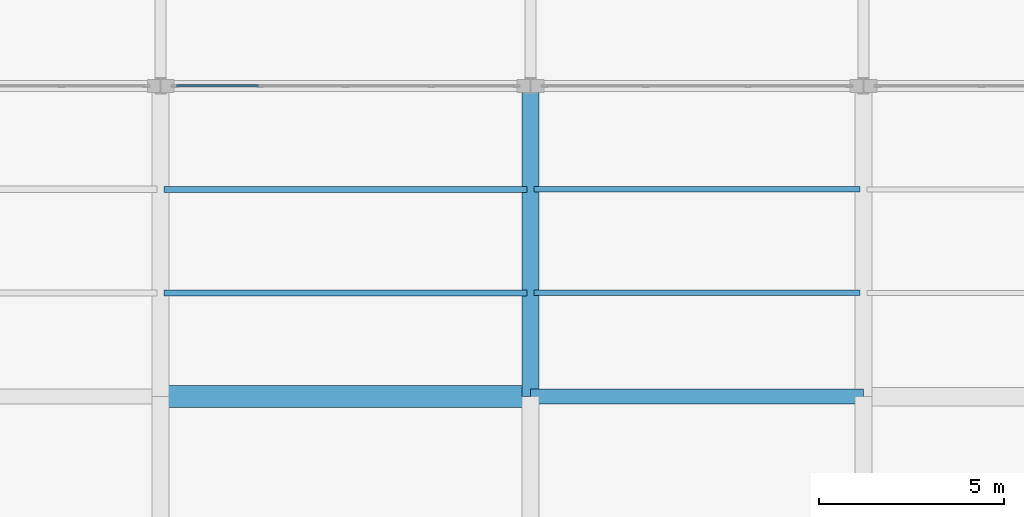
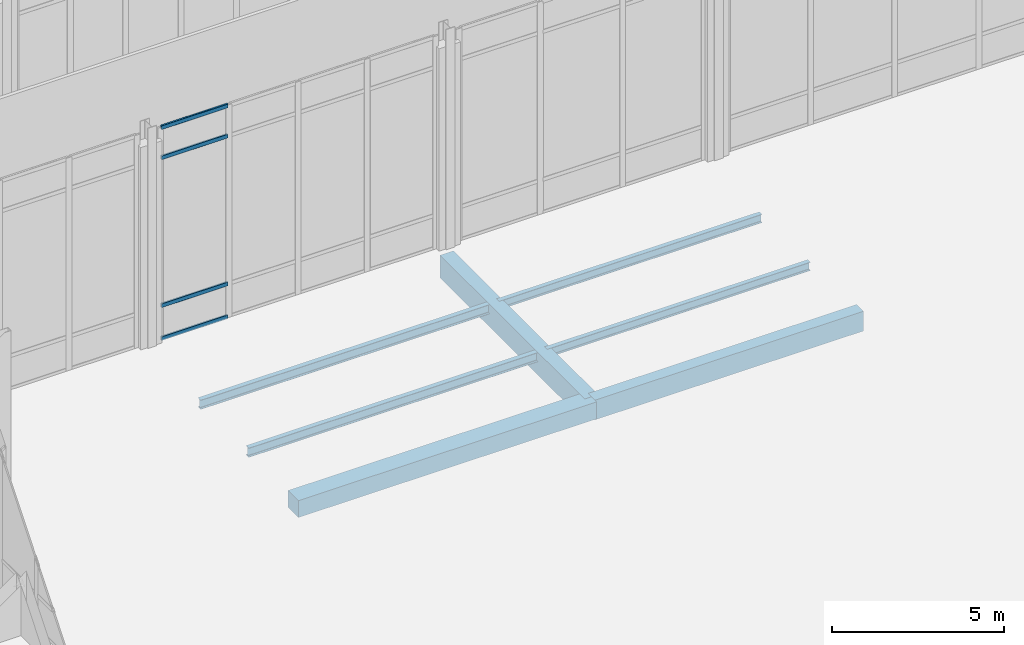
# One storey, part 98 of 176: 7 beams, 4 members, 1 element without a shape of its own.
"""IFC4 building model written with IfcOpenShell, lengths in metres."""

from ifc_helpers import new_model, si_unit, direction, frame, origin, origin_2d, place, context, subcontext, project, spatial, rectangle, hollow_rectangle, i_section, extrude, material, layer, layer_set, material_profile, profile_set, type_object, element, aggregate, save


model = new_model("IFC4")

# Units and contexts
model_context = context("Model", 3, precision=1e-05, world=origin(), true_north=direction((0.0, 1.0)))
body_context = subcontext(model_context, "Body", "Model", "MODEL_VIEW")
ifc_project = project(units=[si_unit("LENGTHUNIT", "METRE"), si_unit("AREAUNIT", "SQUARE_METRE"), si_unit("VOLUMEUNIT", "CUBIC_METRE"), si_unit("PLANEANGLEUNIT", "RADIAN"), si_unit("MASSUNIT", "GRAM", prefix="KILO")], contexts=[model_context])

# Site, building, storey
site_placement = place(None, origin())
site = spatial("IfcSite", under=ifc_project, at=site_placement, CompositionType="ELEMENT")
building_placement = place(site_placement, origin())
building = spatial("IfcBuilding", under=site, at=building_placement, Name="Vekula Escarpment Museum", CompositionType="ELEMENT")
storey_placement = place(building_placement, origin())
storey = spatial("IfcBuildingStorey", under=building, at=storey_placement, Name="L01", CompositionType="ELEMENT", Elevation=0.0)

# Beams
ifc_material_1 = material(Name="Steel S355", Category="steel")
ifc_material_profile_1 = material_profile(ifc_material_1, i_section(OverallWidth=0.14990234375, OverallDepth=0.300048828125, WebThickness=0.007080078125, FlangeThickness=0.0107421875, FilletRadius=0.014892578125, at=origin_2d()), Name="IPE 300")
ifc_profile_set_1 = profile_set([ifc_material_profile_1], Name="Steel S355")
beam_type_1 = type_object("IfcBeamType", Name="BM-JST-IPE300", PredefinedType="JOIST", material=ifc_profile_set_1)
for number, where, z_axis, x_axis, name in (
    (1, (146.090087890625, 62.39990234375, -0.449951171875), (1.0, 0.0, 0.0), (0.0, 1.0, 0.0), "Secondary Joist L01 0489"),
    (2, (146.090087890625, 65.199951171875, -0.449951171875), (1.0, 0.0, 0.0), (0.0, 1.0, 0.0), "Secondary Joist L01 0490"),
):
    element("IfcBeam", number, at=place(storey_placement, frame(where, z_axis=z_axis, x_axis=x_axis)), inside=storey, type_object=beam_type_1, Name=name, PredefinedType="JOIST", context=body_context, shape_type="SweptSolid", body=[
        extrude(i_section(OverallWidth=0.14990234375, OverallDepth=0.300048828125, WebThickness=0.007080078125, FlangeThickness=0.0107421875, FilletRadius=0.014892578125, at=origin_2d()), origin(), (0.0, 0.0, 1.0), 8.81982421875),
    ])
ifc_material_2 = material(Name="Steel S355", Category="steel")
ifc_material_profile_2 = material_profile(ifc_material_2, i_section(OverallWidth=0.159912109375, OverallDepth=0.330078125, WebThickness=0.007568359375, FlangeThickness=0.011474609375, FilletRadius=0.01806640625, at=origin_2d()), Name="IPE 330")
ifc_profile_set_2 = profile_set([ifc_material_profile_2], Name="Steel S355")
beam_type_2 = type_object("IfcBeamType", Name="BM-JST-IPE330", PredefinedType="JOIST", material=ifc_profile_set_2)
for number, where, z_axis, x_axis, name in (
    (3, (136.090087890625, 62.39990234375, -0.465087890625), (1.0, 0.0, 0.0), (0.0, 1.0, 0.0), "Secondary Joist L01 0457"),
    (4, (136.090087890625, 65.199951171875, -0.465087890625), (1.0, 0.0, 0.0), (0.0, 1.0, 0.0), "Secondary Joist L01 0458"),
):
    element("IfcBeam", number, at=place(storey_placement, frame(where, z_axis=z_axis, x_axis=x_axis)), inside=storey, type_object=beam_type_2, Name=name, PredefinedType="JOIST", context=body_context, shape_type="SweptSolid", body=[
        extrude(i_section(OverallWidth=0.159912109375, OverallDepth=0.330078125, WebThickness=0.007568359375, FlangeThickness=0.011474609375, FilletRadius=0.01806640625, at=origin_2d()), origin(), (0.0, 0.0, 1.0), 9.81982421875),
    ])
ifc_material_3 = material(Name="Concrete C35/45", Category="concrete")
ifc_material_profile_3 = material_profile(ifc_material_3, rectangle(XDim=0.449951171875, YDim=0.800048828125, at=origin_2d()), Name="RC 450x800")
ifc_profile_set_3 = profile_set([ifc_material_profile_3], Name="Concrete C35/45")
beam_type_3 = type_object("IfcBeamType", Name="BM-PLINTH-RC", PredefinedType="BEAM", material=ifc_profile_set_3)
beam_1_placement = place(storey_placement, frame((146.0, 59.60009765625, -0.699951171875), z_axis=(0.0, 1.0, 0.0), x_axis=(-1.0, 0.0, 0.0)))
element("IfcBeam", 5, at=beam_1_placement, inside=storey, type_object=beam_type_3, Name="Beam Y L01 0695", PredefinedType="BEAM", context=body_context, shape_type="SweptSolid", body=[
    extrude(rectangle(XDim=0.449951171875, YDim=0.800048828125, at=origin_2d()), origin(), (0.0, 0.0, 1.0), 8.39990234375),
])
ifc_material_4 = material(Name="Concrete C35/45", Category="concrete")
ifc_material_profile_4 = material_profile(ifc_material_4, rectangle(XDim=0.39990234375, YDim=0.699951171875, at=origin_2d()), Name="RC 400x700")
ifc_profile_set_4 = profile_set([ifc_material_profile_4], Name="Concrete C35/45")
beam_type_4 = type_object("IfcBeamType", Name="BM-PLINTH-RC2", PredefinedType="BEAM", material=ifc_profile_set_4)
beam_2_placement = place(storey_placement, frame((146.0, 59.60009765625, -0.64990234375), z_axis=(1.0, 0.0, 0.0), x_axis=(0.0, 1.0, 0.0)))
element("IfcBeam", 6, at=beam_2_placement, inside=storey, type_object=beam_type_4, Name="Beam X L01 0178", PredefinedType="BEAM", context=body_context, shape_type="SweptSolid", body=[
    extrude(rectangle(XDim=0.39990234375, YDim=0.699951171875, at=origin_2d()), origin(), (0.0, 0.0, 1.0), 9.0),
])
ifc_material_5 = material(Name="Concrete C35/45", Category="concrete")
ifc_material_profile_5 = material_profile(ifc_material_5, rectangle(XDim=0.60009765625, YDim=0.60009765625, at=origin_2d()), Name="RC 600x600")
ifc_profile_set_5 = profile_set([ifc_material_profile_5], Name="Concrete C35/45")
beam_type_5 = type_object("IfcBeamType", Name="BM-PLINTH-RC4", PredefinedType="BEAM", material=ifc_profile_set_5)
beam_3_placement = place(storey_placement, frame((136.0, 59.60009765625, -0.60009765625), z_axis=(1.0, 0.0, 0.0), x_axis=(0.0, 1.0, 0.0)))
element("IfcBeam", 7, at=beam_3_placement, inside=storey, type_object=beam_type_5, Name="Beam X L01 0177", PredefinedType="BEAM", context=body_context, shape_type="SweptSolid", body=[
    extrude(rectangle(XDim=0.60009765625, YDim=0.60009765625, at=origin_2d()), origin(), (0.0, 0.0, 1.0), 10.0),
])

# Curtain wall, members
ifc_material_6 = material(Name="Aluminium thermally broken framing", Category="aluminium")
ifc_layer = layer(ifc_material_6, 0.199951171875)
ifc_layer_set = layer_set([ifc_layer], Name="Aluminium thermally broken framing")
curtain_wall_type = type_object("IfcCurtainWallType", Name="CW-SYS-03", PredefinedType="NOTDEFINED", material=ifc_layer_set)
curtain_wall_placement = place(storey_placement, origin())
curtain_wall = element("IfcCurtainWall", 8, at=curtain_wall_placement, inside=storey, type_object=curtain_wall_type, Name="Curtain Wall CW-L01-013", PredefinedType="NOTDEFINED")
ifc_material_7 = material(Name="Aluminium anodized transom", Category="aluminium")
ifc_material_profile_6 = material_profile(ifc_material_7, hollow_rectangle(XDim=0.06494140625, YDim=0.139892578125, WallThickness=0.00390625, InnerFilletRadius=0.00390625, OuterFilletRadius=0.008056640625, at=origin_2d()), Name="ALU 140x65x4")
ifc_profile_set_6 = profile_set([ifc_material_profile_6], Name="Aluminium anodized transom")
member_type = type_object("IfcMemberType", Name="CW-TRN-140", PredefinedType="USERDEFINED", material=ifc_profile_set_6)
member_1_placement = place(storey_placement, frame((136.425048828125, 68.0, 0.032470703125), z_axis=(1.0, 0.0, 0.0), x_axis=(0.0, 1.0, 0.0)))
member_1 = element("IfcMember", 9, at=member_1_placement, type_object=member_type, Name="CW-03 transom 1.1", ObjectType="TRANSOM", PredefinedType="USERDEFINED", context=body_context, shape_type="SweptSolid", body=[
    extrude(hollow_rectangle(XDim=0.06494140625, YDim=0.139892578125, WallThickness=0.00390625, InnerFilletRadius=0.00390625, OuterFilletRadius=0.008056640625, at=origin_2d()), origin(), (0.0, 0.0, 1.0), 2.222412109375),
])
member_2_placement = place(storey_placement, frame((136.425048828125, 68.0, 1.199951171875), z_axis=(1.0, 0.0, 0.0), x_axis=(0.0, 1.0, 0.0)))
member_2 = element("IfcMember", 10, at=member_2_placement, type_object=member_type, Name="CW-03 transom 1.2", ObjectType="TRANSOM", PredefinedType="USERDEFINED", context=body_context, shape_type="SweptSolid", body=[
    extrude(hollow_rectangle(XDim=0.06494140625, YDim=0.139892578125, WallThickness=0.00390625, InnerFilletRadius=0.00390625, OuterFilletRadius=0.008056640625, at=origin_2d()), origin(), (0.0, 0.0, 1.0), 2.222412109375),
])
member_3_placement = place(storey_placement, frame((136.425048828125, 68.0, 6.43994140625), z_axis=(1.0, 0.0, 0.0), x_axis=(0.0, 1.0, 0.0)))
member_3 = element("IfcMember", 11, at=member_3_placement, type_object=member_type, Name="CW-03 transom 1.3", ObjectType="TRANSOM", PredefinedType="USERDEFINED", context=body_context, shape_type="SweptSolid", body=[
    extrude(hollow_rectangle(XDim=0.06494140625, YDim=0.139892578125, WallThickness=0.00390625, InnerFilletRadius=0.00390625, OuterFilletRadius=0.008056640625, at=origin_2d()), origin(), (0.0, 0.0, 1.0), 2.222412109375),
])
member_4_placement = place(storey_placement, frame((136.425048828125, 68.0, 7.507568359375), z_axis=(1.0, 0.0, 0.0), x_axis=(0.0, 1.0, 0.0)))
member_4 = element("IfcMember", 12, at=member_4_placement, type_object=member_type, Name="CW-03 transom 1.4", ObjectType="TRANSOM", PredefinedType="USERDEFINED", context=body_context, shape_type="SweptSolid", body=[
    extrude(hollow_rectangle(XDim=0.06494140625, YDim=0.139892578125, WallThickness=0.00390625, InnerFilletRadius=0.00390625, OuterFilletRadius=0.008056640625, at=origin_2d()), origin(), (0.0, 0.0, 1.0), 2.222412109375),
])
aggregate(curtain_wall, [member_1, member_2, member_3, member_4])

save(model, "model.ifc")
